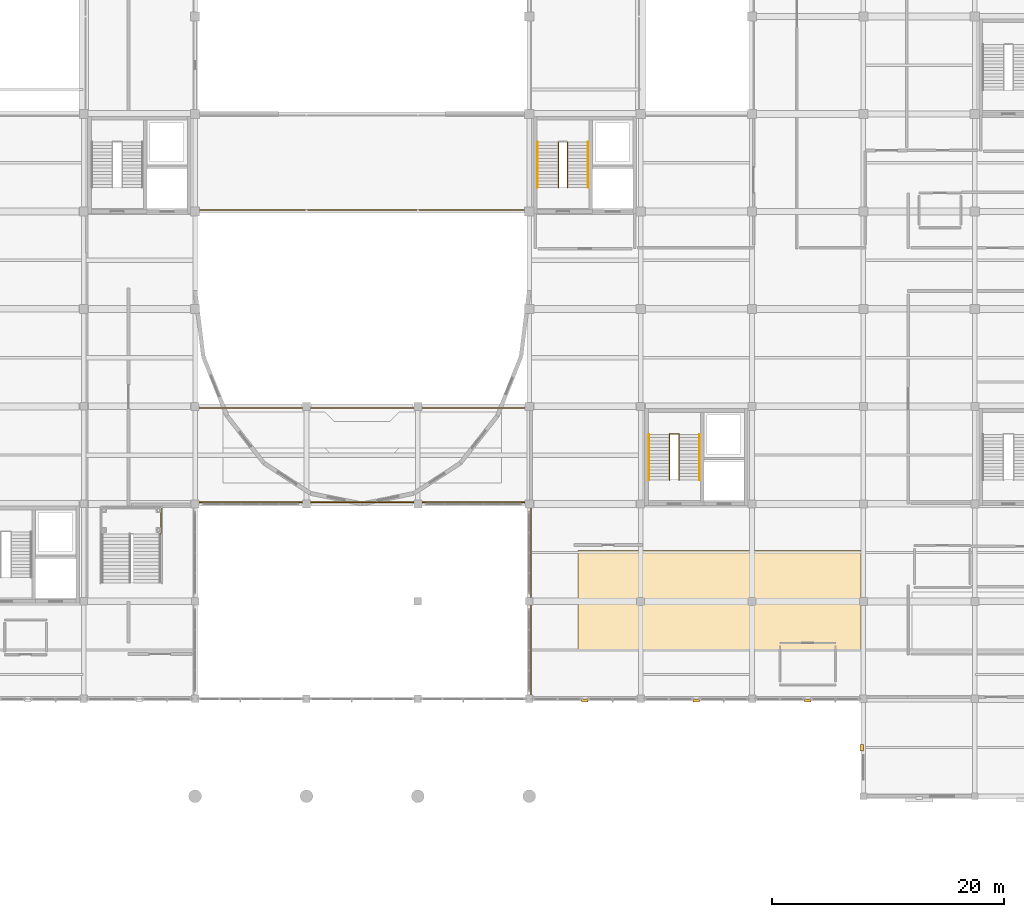
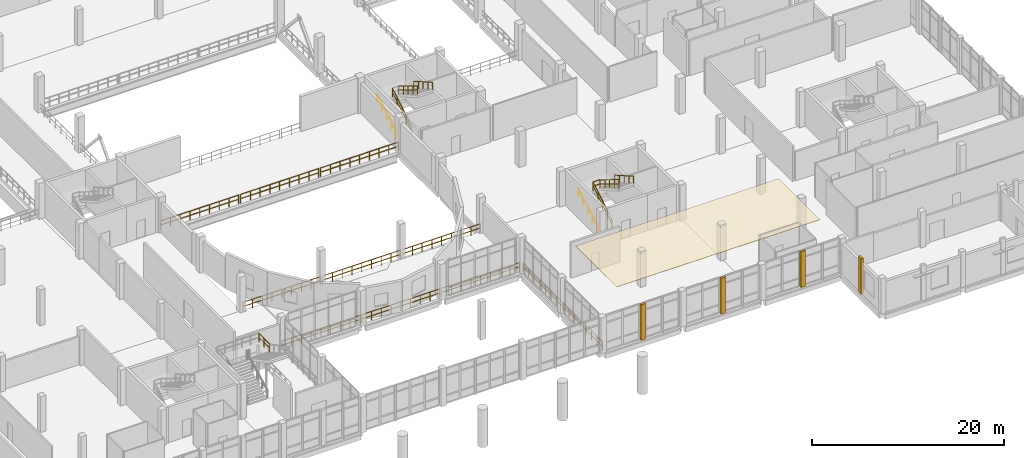
# One storey, part 98 of 102: 21 railings, 5 coverings.
"""IFC4 building model written with IfcOpenShell, lengths in metres."""

from ifc_helpers import new_model, si_unit, direction, frame, origin, origin_2d, place, context, subcontext, project, spatial, polyline, circle, outline, extrude, material, layer, layer_set, type_object, element, save


model = new_model("IFC4")

# Units and contexts
model_context = context("Model", 3, precision=1e-05, world=origin(), true_north=direction((0.0, 1.0)))
body_context = subcontext(model_context, "Body", "Model", "MODEL_VIEW")
ifc_project = project(units=[si_unit("LENGTHUNIT", "METRE"), si_unit("AREAUNIT", "SQUARE_METRE"), si_unit("VOLUMEUNIT", "CUBIC_METRE"), si_unit("PLANEANGLEUNIT", "RADIAN"), si_unit("MASSUNIT", "GRAM", prefix="KILO")], contexts=[model_context])

# Site, building, storey
site_placement = place(None, origin())
site = spatial("IfcSite", under=ifc_project, at=site_placement, CompositionType="ELEMENT")
building_placement = place(site_placement, origin())
building = spatial("IfcBuilding", under=site, at=building_placement, Name="Lornevale Opera House", CompositionType="ELEMENT")
storey_placement = place(building_placement, frame((0.0, 0.0, 5.39990234375)))
storey = spatial("IfcBuildingStorey", under=building, at=storey_placement, Name="L02", CompositionType="ELEMENT", Elevation=5.39990234375)

# Railings
ifc_material_1 = material(Name="Structural Steel CSA G40.21 Grade 350W (350 MPa)", Category="steel")
ifc_layer_1 = layer(ifc_material_1, 0.06005859375)
ifc_layer_set_1 = layer_set([ifc_layer_1], Name="Structural Steel CSA G40.21 Grade 350W (350 MPa)")
railing_type_1 = type_object("IfcRailingType", Name="Atrium Acoustic Balustrade 1120", PredefinedType="BALUSTRADE", material=ifc_layer_set_1)
railing_1_placement = place(storey_placement, frame((64.25, 31.0, 2.400146484375)))
element("IfcRailing", 1, at=railing_1_placement, inside=storey, type_object=railing_type_1, Name="Grand Stair Landing Guard 0216", PredefinedType="BALUSTRADE", context=body_context, shape_type="SweptSolid", body=[
    extrude(circle(Radius=0.02392578125, at=origin_2d()), frame((0.0, 0.0, 1.09619140625), z_axis=(0.0, 1.0, 0.0), x_axis=(-1.0, 0.0, 0.0)), (0.0, 0.0, 1.0), 2.219970703125),
    extrude(circle(Radius=0.02392578125, at=origin_2d()), frame((0.0, 0.0, 0.56005859375), z_axis=(0.0, 1.0, 0.0), x_axis=(-1.0, 0.0, 0.0)), (0.0, 0.0, 1.0), 2.219970703125),
    extrude(circle(Radius=0.02099609375, at=origin_2d()), origin(), (0.0, 0.0, 1.0), 1.072021484375),
    extrude(circle(Radius=0.02099609375, at=origin_2d()), frame((0.0, 1.10986328125, 0.0)), (0.0, 0.0, 1.0), 1.072021484375),
    extrude(circle(Radius=0.02099609375, at=origin_2d()), frame((0.0, 2.219970703125, 0.0)), (0.0, 0.0, 1.0), 1.072021484375),
])
for number, where, name in (
    (2, (67.320068359375, 33.739990234375, 0.0), "Atrium & Bowl Balustrade L02 0319"),
    (3, (67.320068359375, 41.860107421875, 0.0), "Atrium & Bowl Balustrade L02 0320"),
    (4, (67.320068359375, 58.93994140625, 0.0), "Atrium & Bowl Balustrade L02 0321"),
):
    element("IfcRailing", number, at=place(storey_placement, frame(where)), inside=storey, type_object=railing_type_1, Name=name, PredefinedType="BALUSTRADE", context=body_context, shape_type="SweptSolid", body=[
        extrude(circle(Radius=0.02392578125, at=origin_2d()), frame((0.0, 0.0, 1.09619140625), z_axis=(1.0, 0.0, 0.0), x_axis=(0.0, 1.0, 0.0)), (0.0, 0.0, 1.0), 9.35986328125),
        extrude(circle(Radius=0.02392578125, at=origin_2d()), frame((0.0, 0.0, 0.56005859375), z_axis=(1.0, 0.0, 0.0), x_axis=(0.0, 1.0, 0.0)), (0.0, 0.0, 1.0), 9.35986328125),
        extrude(circle(Radius=0.02099609375, at=origin_2d()), origin(), (0.0, 0.0, 1.0), 1.072021484375),
        extrude(circle(Radius=0.02099609375, at=origin_2d()), frame((1.169921875, 0.0, 0.0)), (0.0, 0.0, 1.0), 1.072021484375),
        extrude(circle(Radius=0.02099609375, at=origin_2d()), frame((2.33984375, 0.0, 0.0)), (0.0, 0.0, 1.0), 1.072021484375),
        extrude(circle(Radius=0.02099609375, at=origin_2d()), frame((3.510009765625, 0.0, 0.0)), (0.0, 0.0, 1.0), 1.072021484375),
        extrude(circle(Radius=0.02099609375, at=origin_2d()), frame((4.679931640625, 0.0, 0.0)), (0.0, 0.0, 1.0), 1.072021484375),
        extrude(circle(Radius=0.02099609375, at=origin_2d()), frame((5.849853515625, 0.0, 0.0)), (0.0, 0.0, 1.0), 1.072021484375),
        extrude(circle(Radius=0.02099609375, at=origin_2d()), frame((7.02001953125, 0.0, 0.0)), (0.0, 0.0, 1.0), 1.072021484375),
        extrude(circle(Radius=0.02099609375, at=origin_2d()), frame((8.18994140625, 0.0, 0.0)), (0.0, 0.0, 1.0), 1.072021484375),
        extrude(circle(Radius=0.02099609375, at=origin_2d()), frame((9.35986328125, 0.0, 0.0)), (0.0, 0.0, 1.0), 1.072021484375),
    ])
for number, where, name in (
    (5, (76.919921875, 33.739990234375, 0.0), "Atrium & Bowl Balustrade L02 0324"),
    (6, (76.919921875, 41.860107421875, 0.0), "Atrium & Bowl Balustrade L02 0325"),
    (7, (76.919921875, 58.93994140625, 0.0), "Atrium & Bowl Balustrade L02 0326"),
):
    element("IfcRailing", number, at=place(storey_placement, frame(where)), inside=storey, type_object=railing_type_1, Name=name, PredefinedType="BALUSTRADE", context=body_context, shape_type="SweptSolid", body=[
        extrude(circle(Radius=0.02392578125, at=origin_2d()), frame((0.0, 0.0, 1.09619140625), z_axis=(1.0, 0.0, 0.0), x_axis=(0.0, 1.0, 0.0)), (0.0, 0.0, 1.0), 9.360107421875),
        extrude(circle(Radius=0.02392578125, at=origin_2d()), frame((0.0, 0.0, 0.56005859375), z_axis=(1.0, 0.0, 0.0), x_axis=(0.0, 1.0, 0.0)), (0.0, 0.0, 1.0), 9.360107421875),
        extrude(circle(Radius=0.02099609375, at=origin_2d()), origin(), (0.0, 0.0, 1.0), 1.072021484375),
        extrude(circle(Radius=0.02099609375, at=origin_2d()), frame((1.169921875, 0.0, 0.0)), (0.0, 0.0, 1.0), 1.072021484375),
        extrude(circle(Radius=0.02099609375, at=origin_2d()), frame((2.340087890625, 0.0, 0.0)), (0.0, 0.0, 1.0), 1.072021484375),
        extrude(circle(Radius=0.02099609375, at=origin_2d()), frame((3.510009765625, 0.0, 0.0)), (0.0, 0.0, 1.0), 1.072021484375),
        extrude(circle(Radius=0.02099609375, at=origin_2d()), frame((4.68017578125, 0.0, 0.0)), (0.0, 0.0, 1.0), 1.072021484375),
        extrude(circle(Radius=0.02099609375, at=origin_2d()), frame((5.85009765625, 0.0, 0.0)), (0.0, 0.0, 1.0), 1.072021484375),
        extrude(circle(Radius=0.02099609375, at=origin_2d()), frame((7.02001953125, 0.0, 0.0)), (0.0, 0.0, 1.0), 1.072021484375),
        extrude(circle(Radius=0.02099609375, at=origin_2d()), frame((8.190185546875, 0.0, 0.0)), (0.0, 0.0, 1.0), 1.072021484375),
        extrude(circle(Radius=0.02099609375, at=origin_2d()), frame((9.360107421875, 0.0, 0.0)), (0.0, 0.0, 1.0), 1.072021484375),
    ])
for number, where, name in (
    (8, (86.52001953125, 33.739990234375, 0.0), "Atrium & Bowl Balustrade L02 0329"),
    (9, (86.52001953125, 41.860107421875, 0.0), "Atrium & Bowl Balustrade L02 0330"),
    (10, (86.52001953125, 58.93994140625, 0.0), "Atrium & Bowl Balustrade L02 0331"),
):
    element("IfcRailing", number, at=place(storey_placement, frame(where)), inside=storey, type_object=railing_type_1, Name=name, PredefinedType="BALUSTRADE", context=body_context, shape_type="SweptSolid", body=[
        extrude(circle(Radius=0.02392578125, at=origin_2d()), frame((0.0, 0.0, 1.09619140625), z_axis=(1.0, 0.0, 0.0), x_axis=(0.0, 1.0, 0.0)), (0.0, 0.0, 1.0), 9.35986328125),
        extrude(circle(Radius=0.02392578125, at=origin_2d()), frame((0.0, 0.0, 0.56005859375), z_axis=(1.0, 0.0, 0.0), x_axis=(0.0, 1.0, 0.0)), (0.0, 0.0, 1.0), 9.35986328125),
        extrude(circle(Radius=0.02099609375, at=origin_2d()), origin(), (0.0, 0.0, 1.0), 1.072021484375),
        extrude(circle(Radius=0.02099609375, at=origin_2d()), frame((1.169921875, 0.0, 0.0)), (0.0, 0.0, 1.0), 1.072021484375),
        extrude(circle(Radius=0.02099609375, at=origin_2d()), frame((2.33984375, 0.0, 0.0)), (0.0, 0.0, 1.0), 1.072021484375),
        extrude(circle(Radius=0.02099609375, at=origin_2d()), frame((3.510009765625, 0.0, 0.0)), (0.0, 0.0, 1.0), 1.072021484375),
        extrude(circle(Radius=0.02099609375, at=origin_2d()), frame((4.679931640625, 0.0, 0.0)), (0.0, 0.0, 1.0), 1.072021484375),
        extrude(circle(Radius=0.02099609375, at=origin_2d()), frame((5.849853515625, 0.0, 0.0)), (0.0, 0.0, 1.0), 1.072021484375),
        extrude(circle(Radius=0.02099609375, at=origin_2d()), frame((7.02001953125, 0.0, 0.0)), (0.0, 0.0, 1.0), 1.072021484375),
        extrude(circle(Radius=0.02099609375, at=origin_2d()), frame((8.18994140625, 0.0, 0.0)), (0.0, 0.0, 1.0), 1.072021484375),
        extrude(circle(Radius=0.02099609375, at=origin_2d()), frame((9.35986328125, 0.0, 0.0)), (0.0, 0.0, 1.0), 1.072021484375),
    ])
railing_2_placement = place(storey_placement, frame((96.139892578125, 16.919921875, 0.0)))
element("IfcRailing", 11, at=railing_2_placement, inside=storey, type_object=railing_type_1, Name="Atrium & Bowl Balustrade L02 0334", PredefinedType="BALUSTRADE", context=body_context, shape_type="SweptSolid", body=[
    extrude(circle(Radius=0.02392578125, at=origin_2d()), frame((0.0, 0.0, 1.09619140625), z_axis=(0.0, 1.0, 0.0), x_axis=(-1.0, 0.0, 0.0)), (0.0, 0.0, 1.0), 8.16015625),
    extrude(circle(Radius=0.02392578125, at=origin_2d()), frame((0.0, 0.0, 0.56005859375), z_axis=(0.0, 1.0, 0.0), x_axis=(-1.0, 0.0, 0.0)), (0.0, 0.0, 1.0), 8.16015625),
    extrude(circle(Radius=0.02099609375, at=origin_2d()), origin(), (0.0, 0.0, 1.0), 1.072021484375),
    extrude(circle(Radius=0.02099609375, at=origin_2d()), frame((0.0, 1.165771484375, 0.0)), (0.0, 0.0, 1.0), 1.072021484375),
    extrude(circle(Radius=0.02099609375, at=origin_2d()), frame((0.0, 2.33154296875, 0.0)), (0.0, 0.0, 1.0), 1.072021484375),
    extrude(circle(Radius=0.02099609375, at=origin_2d()), frame((0.0, 3.497314453125, 0.0)), (0.0, 0.0, 1.0), 1.072021484375),
    extrude(circle(Radius=0.02099609375, at=origin_2d()), frame((0.0, 4.662841796875, 0.0)), (0.0, 0.0, 1.0), 1.072021484375),
    extrude(circle(Radius=0.02099609375, at=origin_2d()), frame((0.0, 5.82861328125, 0.0)), (0.0, 0.0, 1.0), 1.072021484375),
    extrude(circle(Radius=0.02099609375, at=origin_2d()), frame((0.0, 6.994384765625, 0.0)), (0.0, 0.0, 1.0), 1.072021484375),
    extrude(circle(Radius=0.02099609375, at=origin_2d()), frame((0.0, 8.16015625, 0.0)), (0.0, 0.0, 1.0), 1.072021484375),
])
railing_3_placement = place(storey_placement, frame((96.139892578125, 25.320068359375, 0.0)))
element("IfcRailing", 12, at=railing_3_placement, inside=storey, type_object=railing_type_1, Name="Atrium & Bowl Balustrade L02 0335", PredefinedType="BALUSTRADE", context=body_context, shape_type="SweptSolid", body=[
    extrude(circle(Radius=0.02392578125, at=origin_2d()), frame((0.0, 0.0, 1.09619140625), z_axis=(0.0, 1.0, 0.0), x_axis=(-1.0, 0.0, 0.0)), (0.0, 0.0, 1.0), 8.159912109375),
    extrude(circle(Radius=0.02392578125, at=origin_2d()), frame((0.0, 0.0, 0.56005859375), z_axis=(0.0, 1.0, 0.0), x_axis=(-1.0, 0.0, 0.0)), (0.0, 0.0, 1.0), 8.159912109375),
    extrude(circle(Radius=0.02099609375, at=origin_2d()), origin(), (0.0, 0.0, 1.0), 1.072021484375),
    extrude(circle(Radius=0.02099609375, at=origin_2d()), frame((0.0, 1.165771484375, 0.0)), (0.0, 0.0, 1.0), 1.072021484375),
    extrude(circle(Radius=0.02099609375, at=origin_2d()), frame((0.0, 2.331298828125, 0.0)), (0.0, 0.0, 1.0), 1.072021484375),
    extrude(circle(Radius=0.02099609375, at=origin_2d()), frame((0.0, 3.4970703125, 0.0)), (0.0, 0.0, 1.0), 1.072021484375),
    extrude(circle(Radius=0.02099609375, at=origin_2d()), frame((0.0, 4.662841796875, 0.0)), (0.0, 0.0, 1.0), 1.072021484375),
    extrude(circle(Radius=0.02099609375, at=origin_2d()), frame((0.0, 5.82861328125, 0.0)), (0.0, 0.0, 1.0), 1.072021484375),
    extrude(circle(Radius=0.02099609375, at=origin_2d()), frame((0.0, 6.994140625, 0.0)), (0.0, 0.0, 1.0), 1.072021484375),
    extrude(circle(Radius=0.02099609375, at=origin_2d()), frame((0.0, 8.159912109375, 0.0)), (0.0, 0.0, 1.0), 1.072021484375),
])

# Coverings
ifc_material_2 = material(Name="Precast Concrete 40 MPa (CSA A23.1 C-1)", Category="concrete")
ifc_layer_2 = layer(ifc_material_2, 0.260009765625)
ifc_layer_set_2 = layer_set([ifc_layer_2], Name="Precast Concrete 40 MPa (CSA A23.1 C-1)")
covering_type_1 = type_object("IfcCoveringType", Name="Postmodern Sandstone Pilaster Rib", PredefinedType="CLADDING", material=ifc_layer_set_2)
covering_1_placement = place(storey_placement, origin())
element("IfcCovering", 13, at=covering_1_placement, inside=storey, type_object=covering_type_1, Name="Postmodern Sandstone Mullion Pier 0222", PredefinedType="CLADDING", context=body_context, shape_type="SweptSolid", body=[
    extrude(outline(polyline([(101.080078125, 16.800048828125), (100.52001953125, 16.800048828125), (100.52001953125, 16.52001953125), (101.080078125, 16.52001953125), (101.080078125, 16.800048828125)])), origin(), (0.0, 0.0, 1.0), 4.52001953125),
])
covering_2_placement = place(storey_placement, origin())
element("IfcCovering", 14, at=covering_2_placement, inside=storey, type_object=covering_type_1, Name="Postmodern Sandstone Mullion Pier 0224", PredefinedType="CLADDING", context=body_context, shape_type="SweptSolid", body=[
    extrude(outline(polyline([(110.679931640625, 16.800048828125), (110.1201171875, 16.800048828125), (110.1201171875, 16.52001953125), (110.679931640625, 16.52001953125), (110.679931640625, 16.800048828125)])), origin(), (0.0, 0.0, 1.0), 4.52001953125),
])
covering_3_placement = place(storey_placement, origin())
element("IfcCovering", 15, at=covering_3_placement, inside=storey, type_object=covering_type_1, Name="Postmodern Sandstone Mullion Pier 0226", PredefinedType="CLADDING", context=body_context, shape_type="SweptSolid", body=[
    extrude(outline(polyline([(120.280029296875, 16.800048828125), (119.719970703125, 16.800048828125), (119.719970703125, 16.52001953125), (120.280029296875, 16.52001953125), (120.280029296875, 16.800048828125)])), origin(), (0.0, 0.0, 1.0), 4.52001953125),
])
covering_4_placement = place(storey_placement, origin())
element("IfcCovering", 16, at=covering_4_placement, inside=storey, type_object=covering_type_1, Name="Postmodern Sandstone Pilaster 0231", PredefinedType="CLADDING", context=body_context, shape_type="SweptSolid", body=[
    extrude(outline(polyline([(124.800048828125, 12.306884765625), (124.800048828125, 12.866943359375), (124.52001953125, 12.866943359375), (124.52001953125, 12.306884765625), (124.800048828125, 12.306884765625)])), origin(), (0.0, 0.0, 1.0), 4.52001953125),
])

# Railings
ifc_layer_3 = layer(ifc_material_1, 0.050048828125)
ifc_layer_set_3 = layer_set([ifc_layer_3], Name="Structural Steel CSA G40.21 Grade 350W (350 MPa)")
railing_type_2 = type_object("IfcRailingType", Name="Stair Well Guardrail 1100", PredefinedType="GUARDRAIL", material=ifc_layer_set_3)
railing_4_placement = place(storey_placement, frame((108.080078125, 35.659912109375, 0.0)))
element("IfcRailing", 17, at=railing_4_placement, inside=storey, type_object=railing_type_2, Name="ST-07 Inner Well Guard F1", PredefinedType="GUARDRAIL", context=body_context, shape_type="SweptSolid", body=[
    extrude(circle(Radius=0.02392578125, at=origin_2d()), frame((0.0, 0.0, 1.076171875), z_axis=(0.0, 0.852846959695, 0.522160955394), x_axis=(-1.0, 0.0, 0.0)), (0.0, 0.0, 1.0), 4.5966796875),
    extrude(circle(Radius=0.02392578125, at=origin_2d()), frame((0.0, 0.0, 0.550048828125), z_axis=(0.0, 0.852846959695, 0.522160955394), x_axis=(-1.0, 0.0, 0.0)), (0.0, 0.0, 1.0), 4.5966796875),
    extrude(circle(Radius=0.02099609375, at=origin_2d()), origin(), (0.0, 0.0, 1.0), 1.052001953125),
    extrude(circle(Radius=0.02099609375, at=origin_2d()), frame((0.0, 0.97998046875, 0.60009765625)), (0.0, 0.0, 1.0), 1.052001953125),
    extrude(circle(Radius=0.02099609375, at=origin_2d()), frame((0.0, 1.9599609375, 1.2001953125)), (0.0, 0.0, 1.0), 1.052001953125),
    extrude(circle(Radius=0.02099609375, at=origin_2d()), frame((0.0, 2.940185546875, 1.800048828125)), (0.0, 0.0, 1.0), 1.052001953125),
    extrude(circle(Radius=0.02099609375, at=origin_2d()), frame((0.0, 3.920166015625, 2.400146484375)), (0.0, 0.0, 1.0), 1.052001953125),
])
railing_5_placement = place(storey_placement, frame((108.919921875, 39.580078125, 2.400146484375)))
element("IfcRailing", 18, at=railing_5_placement, inside=storey, type_object=railing_type_2, Name="ST-07 Inner Well Guard F2", PredefinedType="GUARDRAIL", context=body_context, shape_type="SweptSolid", body=[
    extrude(circle(Radius=0.02392578125, at=origin_2d()), frame((0.0, 0.0, 1.076171875), z_axis=(0.0, -0.852870612257, 0.522122321634), x_axis=(1.0, 0.0, 0.0)), (0.0, 0.0, 1.0), 4.596435546875),
    extrude(circle(Radius=0.02392578125, at=origin_2d()), frame((0.0, 0.0, 0.550048828125), z_axis=(0.0, -0.852870612257, 0.522122321634), x_axis=(1.0, 0.0, 0.0)), (0.0, 0.0, 1.0), 4.596435546875),
    extrude(circle(Radius=0.02099609375, at=origin_2d()), origin(), (0.0, 0.0, 1.0), 1.052001953125),
    extrude(circle(Radius=0.02099609375, at=origin_2d()), frame((0.0, -0.97998046875, 0.60009765625)), (0.0, 0.0, 1.0), 1.052001953125),
    extrude(circle(Radius=0.02099609375, at=origin_2d()), frame((0.0, -1.9599609375, 1.199951171875)), (0.0, 0.0, 1.0), 1.052001953125),
    extrude(circle(Radius=0.02099609375, at=origin_2d()), frame((0.0, -2.940185546875, 1.7998046875)), (0.0, 0.0, 1.0), 1.052001953125),
    extrude(circle(Radius=0.02099609375, at=origin_2d()), frame((0.0, -3.920166015625, 2.39990234375)), (0.0, 0.0, 1.0), 1.052001953125),
])
railing_6_placement = place(storey_placement, frame((108.080078125, 39.610107421875, 2.400146484375)))
element("IfcRailing", 19, at=railing_6_placement, inside=storey, type_object=railing_type_2, Name="ST-07 Half-Landing Slot Guard", PredefinedType="GUARDRAIL", context=body_context, shape_type="SweptSolid", body=[
    extrude(circle(Radius=0.02392578125, at=origin_2d()), frame((0.0, 0.0, 1.076171875), z_axis=(1.0, 0.0, 0.0), x_axis=(0.0, 1.0, 0.0)), (0.0, 0.0, 1.0), 0.83984375),
    extrude(circle(Radius=0.02392578125, at=origin_2d()), frame((0.0, 0.0, 0.550048828125), z_axis=(1.0, 0.0, 0.0), x_axis=(0.0, 1.0, 0.0)), (0.0, 0.0, 1.0), 0.83984375),
    extrude(circle(Radius=0.02099609375, at=origin_2d()), origin(), (0.0, 0.0, 1.0), 1.052001953125),
    extrude(circle(Radius=0.02099609375, at=origin_2d()), frame((0.83984375, 0.0, 0.0)), (0.0, 0.0, 1.0), 1.052001953125),
])
railing_7_placement = place(storey_placement, frame((98.52001953125, 60.860107421875, 0.0)))
element("IfcRailing", 20, at=railing_7_placement, inside=storey, type_object=railing_type_2, Name="ST-23 Inner Well Guard F1", PredefinedType="GUARDRAIL", context=body_context, shape_type="SweptSolid", body=[
    extrude(circle(Radius=0.02392578125, at=origin_2d()), frame((0.0, 0.0, 1.076171875), z_axis=(0.0, 0.852832477147, 0.522184609045), x_axis=(-1.0, 0.0, 0.0)), (0.0, 0.0, 1.0), 4.596435546875),
    extrude(circle(Radius=0.02392578125, at=origin_2d()), frame((0.0, 0.0, 0.550048828125), z_axis=(0.0, 0.852832477147, 0.522184609045), x_axis=(-1.0, 0.0, 0.0)), (0.0, 0.0, 1.0), 4.596435546875),
    extrude(circle(Radius=0.02099609375, at=origin_2d()), origin(), (0.0, 0.0, 1.0), 1.052001953125),
    extrude(circle(Radius=0.02099609375, at=origin_2d()), frame((0.0, 0.97998046875, 0.60009765625)), (0.0, 0.0, 1.0), 1.052001953125),
    extrude(circle(Radius=0.02099609375, at=origin_2d()), frame((0.0, 1.9599609375, 1.2001953125)), (0.0, 0.0, 1.0), 1.052001953125),
    extrude(circle(Radius=0.02099609375, at=origin_2d()), frame((0.0, 2.93994140625, 1.800048828125)), (0.0, 0.0, 1.0), 1.052001953125),
    extrude(circle(Radius=0.02099609375, at=origin_2d()), frame((0.0, 3.919921875, 2.400146484375)), (0.0, 0.0, 1.0), 1.052001953125),
])
railing_8_placement = place(storey_placement, frame((99.280029296875, 64.780029296875, 2.400146484375)))
element("IfcRailing", 21, at=railing_8_placement, inside=storey, type_object=railing_type_2, Name="ST-23 Inner Well Guard F2", PredefinedType="GUARDRAIL", context=body_context, shape_type="SweptSolid", body=[
    extrude(circle(Radius=0.02392578125, at=origin_2d()), frame((0.0, 0.0, 1.076171875), z_axis=(0.0, -0.852856131449, 0.522145974847), x_axis=(1.0, 0.0, 0.0)), (0.0, 0.0, 1.0), 4.59619140625),
    extrude(circle(Radius=0.02392578125, at=origin_2d()), frame((0.0, 0.0, 0.550048828125), z_axis=(0.0, -0.852856131449, 0.522145974847), x_axis=(1.0, 0.0, 0.0)), (0.0, 0.0, 1.0), 4.59619140625),
    extrude(circle(Radius=0.02099609375, at=origin_2d()), origin(), (0.0, 0.0, 1.0), 1.052001953125),
    extrude(circle(Radius=0.02099609375, at=origin_2d()), frame((0.0, -0.97998046875, 0.60009765625)), (0.0, 0.0, 1.0), 1.052001953125),
    extrude(circle(Radius=0.02099609375, at=origin_2d()), frame((0.0, -1.9599609375, 1.199951171875)), (0.0, 0.0, 1.0), 1.052001953125),
    extrude(circle(Radius=0.02099609375, at=origin_2d()), frame((0.0, -2.93994140625, 1.7998046875)), (0.0, 0.0, 1.0), 1.052001953125),
    extrude(circle(Radius=0.02099609375, at=origin_2d()), frame((0.0, -3.919921875, 2.39990234375)), (0.0, 0.0, 1.0), 1.052001953125),
])
ifc_layer_4 = layer(ifc_material_1, 0.048095703125)
ifc_layer_set_4 = layer_set([ifc_layer_4], Name="Structural Steel CSA G40.21 Grade 350W (350 MPa)")
railing_type_3 = type_object("IfcRailingType", Name="Tubular Stair Handrail 915", PredefinedType="HANDRAIL", material=ifc_layer_set_4)
railing_9_placement = place(storey_placement, frame((106.320068359375, 35.659912109375, 0.1630859375)))
element("IfcRailing", 22, at=railing_9_placement, inside=storey, type_object=railing_type_3, Name="ST-07 Outer Handrail F1", PredefinedType="HANDRAIL", context=body_context, shape_type="SweptSolid", body=[
    extrude(circle(Radius=0.02392578125, at=origin_2d()), frame((0.0, 0.0, 0.89111328125), z_axis=(0.0, 0.86825312469, 0.496121468458), x_axis=(-1.0, 0.0, 0.0)), (0.0, 0.0, 1.0), 4.514892578125),
    extrude(circle(Radius=0.02099609375, at=origin_2d()), origin(), (0.0, 0.0, 1.0), 0.866943359375),
    extrude(circle(Radius=0.02099609375, at=origin_2d()), frame((0.0, 0.97998046875, 0.56005859375)), (0.0, 0.0, 1.0), 0.866943359375),
    extrude(circle(Radius=0.02099609375, at=origin_2d()), frame((0.0, 1.9599609375, 1.1201171875)), (0.0, 0.0, 1.0), 0.866943359375),
    extrude(circle(Radius=0.02099609375, at=origin_2d()), frame((0.0, 2.940185546875, 1.679931640625)), (0.0, 0.0, 1.0), 0.866943359375),
    extrude(circle(Radius=0.02099609375, at=origin_2d()), frame((0.0, 3.920166015625, 2.239990234375)), (0.0, 0.0, 1.0), 0.866943359375),
])
railing_10_placement = place(storey_placement, frame((110.679931640625, 39.580078125, 2.56298828125)))
element("IfcRailing", 23, at=railing_10_placement, inside=storey, type_object=railing_type_3, Name="ST-07 Outer Handrail F2", PredefinedType="HANDRAIL", context=body_context, shape_type="SweptSolid", body=[
    extrude(circle(Radius=0.02392578125, at=origin_2d()), frame((0.0, 0.0, 0.89111328125), z_axis=(0.0, -0.86825312469, 0.496121468458), x_axis=(1.0, 0.0, 0.0)), (0.0, 0.0, 1.0), 4.514892578125),
    extrude(circle(Radius=0.02099609375, at=origin_2d()), origin(), (0.0, 0.0, 1.0), 0.866943359375),
    extrude(circle(Radius=0.02099609375, at=origin_2d()), frame((0.0, -0.97998046875, 0.56005859375)), (0.0, 0.0, 1.0), 0.866943359375),
    extrude(circle(Radius=0.02099609375, at=origin_2d()), frame((0.0, -1.9599609375, 1.1201171875)), (0.0, 0.0, 1.0), 0.866943359375),
    extrude(circle(Radius=0.02099609375, at=origin_2d()), frame((0.0, -2.940185546875, 1.679931640625)), (0.0, 0.0, 1.0), 0.866943359375),
    extrude(circle(Radius=0.02099609375, at=origin_2d()), frame((0.0, -3.920166015625, 2.239990234375)), (0.0, 0.0, 1.0), 0.866943359375),
])
railing_11_placement = place(storey_placement, frame((96.719970703125, 60.860107421875, 0.1630859375)))
element("IfcRailing", 24, at=railing_11_placement, inside=storey, type_object=railing_type_3, Name="ST-23 Outer Handrail F1", PredefinedType="HANDRAIL", context=body_context, shape_type="SweptSolid", body=[
    extrude(circle(Radius=0.02392578125, at=origin_2d()), frame((0.0, 0.0, 0.89111328125), z_axis=(0.0, 0.868239814368, 0.496144761885), x_axis=(-1.0, 0.0, 0.0)), (0.0, 0.0, 1.0), 4.514892578125),
    extrude(circle(Radius=0.02099609375, at=origin_2d()), origin(), (0.0, 0.0, 1.0), 0.866943359375),
    extrude(circle(Radius=0.02099609375, at=origin_2d()), frame((0.0, 0.97998046875, 0.56005859375)), (0.0, 0.0, 1.0), 0.866943359375),
    extrude(circle(Radius=0.02099609375, at=origin_2d()), frame((0.0, 1.9599609375, 1.1201171875)), (0.0, 0.0, 1.0), 0.866943359375),
    extrude(circle(Radius=0.02099609375, at=origin_2d()), frame((0.0, 2.93994140625, 1.679931640625)), (0.0, 0.0, 1.0), 0.866943359375),
    extrude(circle(Radius=0.02099609375, at=origin_2d()), frame((0.0, 3.919921875, 2.239990234375)), (0.0, 0.0, 1.0), 0.866943359375),
])
railing_12_placement = place(storey_placement, frame((101.080078125, 64.780029296875, 2.56298828125)))
element("IfcRailing", 25, at=railing_12_placement, inside=storey, type_object=railing_type_3, Name="ST-23 Outer Handrail F2", PredefinedType="HANDRAIL", context=body_context, shape_type="SweptSolid", body=[
    extrude(circle(Radius=0.02392578125, at=origin_2d()), frame((0.0, 0.0, 0.89111328125), z_axis=(0.0, -0.868239814368, 0.496144761885), x_axis=(1.0, 0.0, 0.0)), (0.0, 0.0, 1.0), 4.514892578125),
    extrude(circle(Radius=0.02099609375, at=origin_2d()), origin(), (0.0, 0.0, 1.0), 0.866943359375),
    extrude(circle(Radius=0.02099609375, at=origin_2d()), frame((0.0, -0.97998046875, 0.56005859375)), (0.0, 0.0, 1.0), 0.866943359375),
    extrude(circle(Radius=0.02099609375, at=origin_2d()), frame((0.0, -1.9599609375, 1.1201171875)), (0.0, 0.0, 1.0), 0.866943359375),
    extrude(circle(Radius=0.02099609375, at=origin_2d()), frame((0.0, -2.93994140625, 1.679931640625)), (0.0, 0.0, 1.0), 0.866943359375),
    extrude(circle(Radius=0.02099609375, at=origin_2d()), frame((0.0, -3.919921875, 2.239990234375)), (0.0, 0.0, 1.0), 0.866943359375),
])

# Covering
ifc_material_3 = material(Name="White Oak Acoustic Panelling", Category="wood")
ifc_layer_5 = layer(ifc_material_3, 0.050048828125)
ifc_layer_set_5 = layer_set([ifc_layer_5], Name="White Oak Acoustic Panelling")
covering_type_2 = type_object("IfcCoveringType", Name="White Oak Acoustic Ceiling Liner", PredefinedType="CEILING", material=ifc_layer_set_5)
covering_5_placement = place(storey_placement, frame((0.0, 0.0, 4.150146484375)))
element("IfcCovering", 26, at=covering_5_placement, inside=storey, type_object=covering_type_2, Name="White Oak Acoustic Ceiling Liner 03", PredefinedType="CEILING", context=body_context, shape_type="SweptSolid", body=[
    extrude(outline(polyline([(100.199951171875, 21.0), (124.60009765625, 21.0), (124.60009765625, 29.60009765625), (100.199951171875, 29.60009765625), (100.199951171875, 21.0)])), origin(), (0.0, 0.0, 1.0), 0.050048828125),
])

save(model, "model.ifc")
